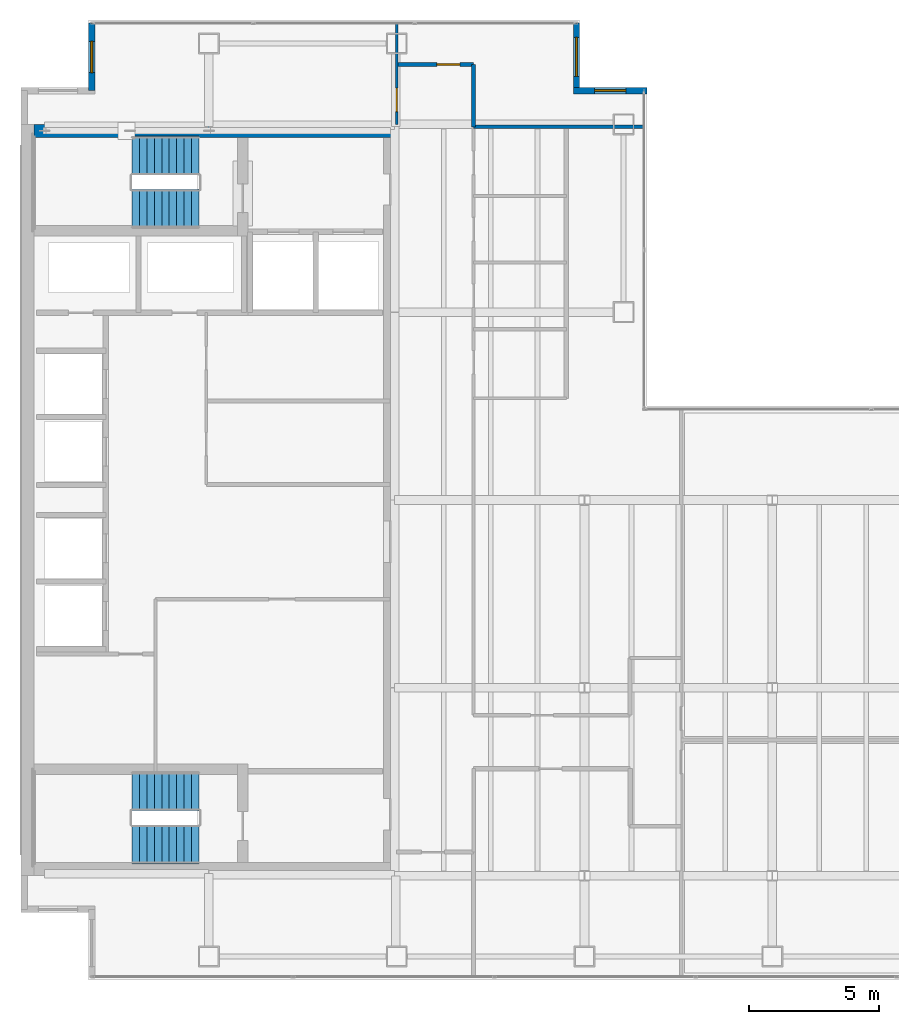
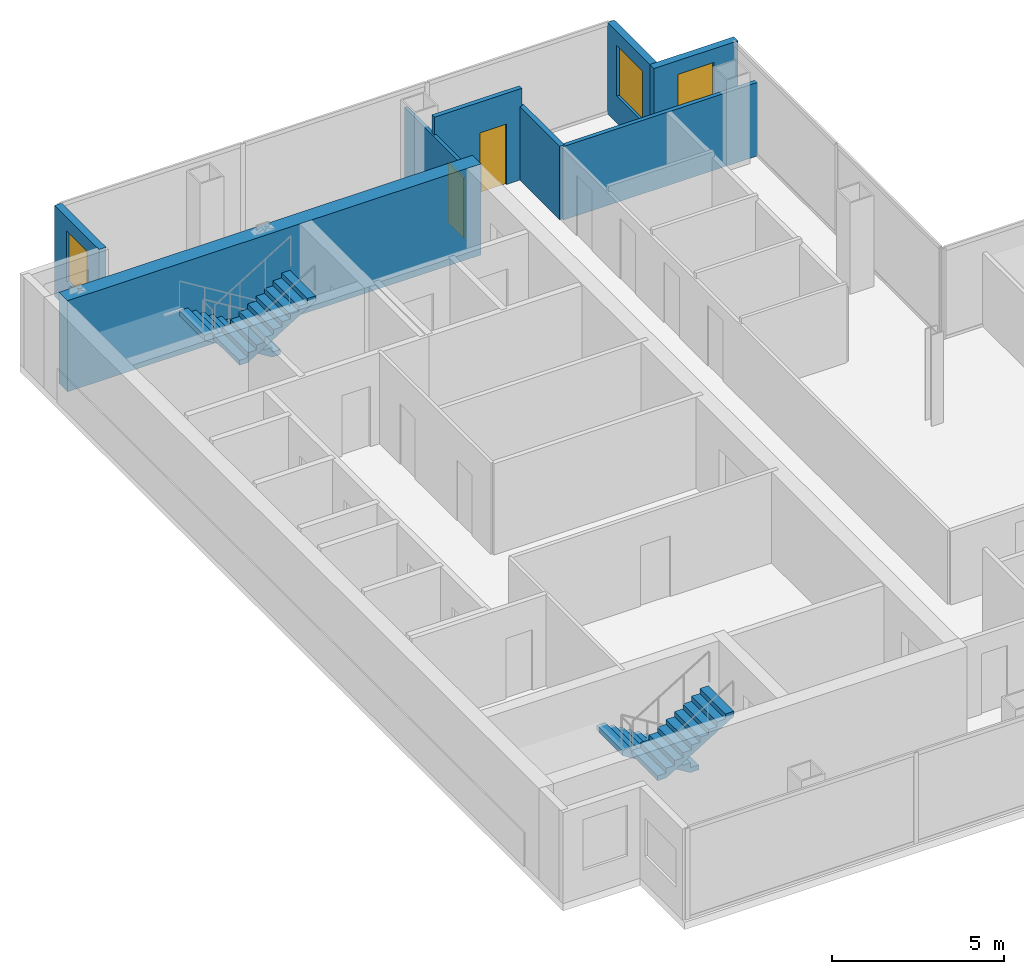
# One storey, part 22 of 23: 8 walls, 4 stair flights, 3 windows, 2 doors, 5 openings, 2 elements without a shape of their own.
"""IFC4 building model written with IfcOpenShell, lengths in metres."""

import ifcopenshell
import ifcopenshell.guid

model = None  # the IFC model being written
_history = None  # IfcOwnerHistory: only IFC2X3 demands one
_inside = {}  # id of a spatial element -> (the spatial element, [elements in it])
_under = {}  # id of a project, library or spatial element -> (it, [spatial elements below it])
_declared = {}  # id of a project -> (the project, [libraries it declares])
_typed = {}  # id of a type object -> (the type object, [elements of that type])
_made_of = {}  # id of a material, layer set ... -> (it, [elements and type objects made of it])


def new_model(schema):
    """Start an empty IFC model of exactly this schema.

    Asked for "IFC4X3", IfcOpenShell would pick the latest addendum, in which some entities
    have other attributes; the version numbers below select the first issue.
    IFC2X3 requires an IfcOwnerHistory on every rooted entity: one is made here for all.
    """
    global model, _history
    if schema == "IFC4X3":
        model = ifcopenshell.file(schema_version=(4, 3, 0, 0))
    else:
        model = ifcopenshell.file(schema=schema)
    _inside.clear()
    _under.clear()
    _declared.clear()
    _typed.clear()
    _made_of.clear()
    _history = None
    if model.schema == "IFC2X3":
        org = make("IfcOrganization", Name="unknown")
        user = make(
            "IfcPersonAndOrganization",
            ThePerson=make("IfcPerson", FamilyName="unknown"),
            TheOrganization=org,
        )
        app = make(
            "IfcApplication",
            ApplicationDeveloper=org,
            Version="unknown",
            ApplicationFullName="unknown",
            ApplicationIdentifier="unknown",
        )
        _history = make(
            "IfcOwnerHistory",
            OwningUser=user,
            OwningApplication=app,
            ChangeAction="ADDED",
            CreationDate=0,
        )
    return model


def make(cls, **values):
    """One entity of the class cls with the attributes given. An attribute that is None is left unset."""
    return model.create_entity(
        cls, **{name: value for name, value in values.items() if value is not None}
    )


def rooted(cls, **values):
    """An entity with a GlobalId (a new one), such as an element, a storey or a relation."""
    return make(cls, GlobalId=ifcopenshell.guid.new(), OwnerHistory=_history, **values)


def si_unit(unit_type, name, prefix=None):
    """IfcSIUnit, for example si_unit("LENGTHUNIT", "METRE", prefix="MILLI")."""
    return make("IfcSIUnit", UnitType=unit_type, Prefix=prefix, Name=name)


def assignment(units):
    """IfcUnitAssignment: the units of a project."""
    return None if units is None else make("IfcUnitAssignment", Units=units)


def point(xyz):
    """IfcCartesianPoint."""
    return None if xyz is None else make("IfcCartesianPoint", Coordinates=xyz)


def direction(xyz):
    """IfcDirection."""
    return None if xyz is None else make("IfcDirection", DirectionRatios=xyz)


def frame(location, z_axis=None, x_axis=None):
    """IfcAxis2Placement3D, a coordinate frame: its origin and axes. An axis left out is left unset."""
    return make(
        "IfcAxis2Placement3D",
        Location=point(location),
        Axis=direction(z_axis),
        RefDirection=direction(x_axis),
    )


def frame_2d(location, x_axis=None):
    """IfcAxis2Placement2D, a coordinate frame in the plane: its origin and x axis."""
    return make(
        "IfcAxis2Placement2D", Location=point(location), RefDirection=direction(x_axis)
    )


def origin():
    """The frame at (0, 0, 0) with its axes left unset."""
    return frame((0.0, 0.0, 0.0))


def place(relative_to, where):
    """IfcLocalPlacement: puts the frame where relative to a parent placement (None: the world)."""
    return make(
        "IfcLocalPlacement", PlacementRelTo=relative_to, RelativePlacement=where
    )


def context(
    kind, dimensions, precision=None, world=None, true_north=None, identifier=None
):
    """IfcGeometricRepresentationContext, for example the 3D "Model" context."""
    return make(
        "IfcGeometricRepresentationContext",
        ContextIdentifier=identifier,
        ContextType=kind,
        CoordinateSpaceDimension=dimensions,
        Precision=precision,
        WorldCoordinateSystem=world,
        TrueNorth=true_north,
    )


def subcontext(parent, identifier, kind, view, scale=None):
    """IfcGeometricRepresentationSubContext, for example "Body" below "Model"."""
    return make(
        "IfcGeometricRepresentationSubContext",
        ContextIdentifier=identifier,
        ContextType=kind,
        ParentContext=parent,
        TargetScale=scale,
        TargetView=view,
    )


def project(units=None, contexts=None):
    """IfcProject with its units and contexts."""
    return rooted(
        "IfcProject",
        Name="project",
        RepresentationContexts=contexts,
        UnitsInContext=assignment(units),
    )


def spatial(cls, under=None, at=None, **own):
    """A site, building, storey or space (cls), placed at a placement, below another one or the project."""
    s = rooted(cls, ObjectPlacement=at, **own)
    if under is not None:
        _under.setdefault(under.id(), (under, []))[1].append(s)
    return s


def polyline(points):
    """IfcPolyline through the points."""
    return make("IfcPolyline", Points=[point(p) for p in points])


def profile(cls, at=None, kind="AREA", **sizes):
    """A parametric profile (cls). Its sizes go by their IFC names, for example OverallWidth=200.0."""
    return make(cls, ProfileType=kind, Position=at, **sizes)


def rectangle(**sizes):
    """IfcRectangleProfileDef."""
    return profile("IfcRectangleProfileDef", **sizes)


def outline(outer, holes=None, kind="AREA"):
    """IfcArbitraryClosedProfileDef: a profile drawn as a closed curve; with holes, ...WithVoids."""
    if holes is None:
        return make("IfcArbitraryClosedProfileDef", ProfileType=kind, OuterCurve=outer)
    return make(
        "IfcArbitraryProfileDefWithVoids",
        ProfileType=kind,
        OuterCurve=outer,
        InnerCurves=holes,
    )


def extrude(swept, where, along, depth):
    """IfcExtrudedAreaSolid: the profile swept, set in the frame where, extruded along a direction by depth."""
    return make(
        "IfcExtrudedAreaSolid",
        SweptArea=swept,
        Position=where,
        ExtrudedDirection=direction(along),
        Depth=depth,
    )


def shape(context_of_items, identifier, shape_type, items):
    """IfcShapeRepresentation: the items that make up one representation, for example the "Body"."""
    return make(
        "IfcShapeRepresentation",
        ContextOfItems=context_of_items,
        RepresentationIdentifier=identifier,
        RepresentationType=shape_type,
        Items=items,
    )


def material(Name=None, Category=None):
    """IfcMaterial."""
    return make("IfcMaterial", Name=Name, Category=Category)


def layer(
    of_material, thickness, ventilated=None, Name=None, Category=None, Priority=None
):
    """IfcMaterialLayer: one layer of a wall or slab, of a material (None: an air gap)."""
    return make(
        "IfcMaterialLayer",
        Material=of_material,
        LayerThickness=thickness,
        IsVentilated=ventilated,
        Name=Name,
        Category=Category,
        Priority=Priority,
    )


def layer_set(layers, Name=None):
    """IfcMaterialLayerSet."""
    return make("IfcMaterialLayerSet", MaterialLayers=layers, LayerSetName=Name)


def made_of(thing, what):
    """Note that an element or type object is made of a material, layer set ...; save() writes the relation."""
    if what is not None:
        _made_of.setdefault(what.id(), (what, []))[1].append(thing)
    return thing


def type_object(cls, material=None, **own):
    """A type object (cls), such as IfcWallType, which elements share."""
    return made_of(rooted(cls, **own), material)


def element(
    cls,
    number,
    at=None,
    inside=None,
    cuts=None,
    type_object=None,
    material=None,
    context=None,
    identifier="Body",
    shape_type=None,
    held_by="IfcProductDefinitionShape",
    body=None,
    shapes=None,
    **own,
):
    """One element of the class cls, such as IfcWall. Its Tag is "e" and its number.

    at: its placement. inside: the storey or other place that contains it. cuts: it is an
    opening in that element (IfcRelVoidsElement). A single representation is given by context,
    identifier, shape_type and body (its items); several are given by shapes. held_by: the class
    of the entity that holds the representations. save() writes the other relations.
    """
    e = rooted(cls, Tag="e%d" % number, ObjectPlacement=at, **own)
    if body is not None:
        shapes = [shape(context, identifier, shape_type, body)]
    if shapes is not None:
        e.Representation = make(held_by, Representations=shapes)
    if inside is not None:
        _inside.setdefault(inside.id(), (inside, []))[1].append(e)
    if cuts is not None:
        rooted(
            "IfcRelVoidsElement", RelatingBuildingElement=cuts, RelatedOpeningElement=e
        )
    if type_object is not None:
        _typed.setdefault(type_object.id(), (type_object, []))[1].append(e)
    return made_of(e, material)


def fill(opening, filler):
    """IfcRelFillsElement: the door or window that sits in an opening."""
    return rooted(
        "IfcRelFillsElement",
        RelatingOpeningElement=opening,
        RelatedBuildingElement=filler,
    )


def aggregate(whole, parts):
    """IfcRelAggregates: a whole, such as a stair, and the parts it consists of."""
    return rooted("IfcRelAggregates", RelatingObject=whole, RelatedObjects=parts)


def save(model, path):
    """Write the relations noted so far, then the file.

    IfcRelAggregates (storeys below a building ...), IfcRelContainedInSpatialStructure (elements
    in a storey), IfcRelDefinesByType, IfcRelAssociatesMaterial and IfcRelDeclares: one each for
    every whole, place, type object, material and project.
    """
    for whole, parts in _under.values():
        aggregate(whole, parts)
    for where, things in _inside.values():
        rooted(
            "IfcRelContainedInSpatialStructure",
            RelatedElements=things,
            RelatingStructure=where,
        )
    for kind, things in _typed.values():
        rooted("IfcRelDefinesByType", RelatedObjects=things, RelatingType=kind)
    for what, things in _made_of.values():
        rooted("IfcRelAssociatesMaterial", RelatedObjects=things, RelatingMaterial=what)
    for by, libraries in _declared.values():
        rooted("IfcRelDeclares", RelatingContext=by, RelatedDefinitions=libraries)
    model.write(path)


model = new_model("IFC4")

# Units and contexts
model_context = context("Model", 3, precision=1e-05, world=origin(), true_north=direction((0.0, 1.0)))
body_context = subcontext(model_context, "Body", "Model", "MODEL_VIEW")
ifc_project = project(units=[si_unit("LENGTHUNIT", "METRE"), si_unit("AREAUNIT", "SQUARE_METRE"), si_unit("VOLUMEUNIT", "CUBIC_METRE"), si_unit("PLANEANGLEUNIT", "RADIAN"), si_unit("MASSUNIT", "GRAM", prefix="KILO")], contexts=[model_context])

# Site, building, storey
site_placement = place(None, origin())
site = spatial("IfcSite", under=ifc_project, at=site_placement, CompositionType="ELEMENT")
building_placement = place(site_placement, origin())
building = spatial("IfcBuilding", under=site, at=building_placement, Name="Cobrela Telecom Tower", CompositionType="ELEMENT")
storey_placement = place(building_placement, frame((0.0, 0.0, 197.75)))
storey = spatial("IfcBuildingStorey", under=building, at=storey_placement, Name="L50", CompositionType="ELEMENT", Elevation=197.75)

# Wall
ifc_material_1 = material(Name="Concrete C40/50", Category="concrete")
ifc_layer_1 = layer(ifc_material_1, 0.5)
ifc_layer_set_1 = layer_set([ifc_layer_1], Name="Concrete C40/50")
wall_type_1 = type_object("IfcWallType", Name="WALL-CORE-C40-500", PredefinedType="SHEAR", material=ifc_layer_set_1)
wall_1_placement = place(storey_placement, frame((0.5, 35.75, 0.0), z_axis=(0.0, 0.0, 1.0), x_axis=(1.0, 0.0, 0.0)))
element("IfcWall", 1, at=wall_1_placement, inside=storey, type_object=wall_type_1, Name="L50 North Core Shear Wall", PredefinedType="SHEAR", context=body_context, shape_type="SweptSolid", body=[
    extrude(rectangle(XDim=13.89990234375, YDim=0.5, at=frame_2d((6.949951171875, 0.0))), origin(), (0.0, 0.0, 1.0), 3.239990234375),
])

# Wall, opening, window
ifc_layer_2 = layer(ifc_material_1, 0.239990234375)
ifc_layer_set_2 = layer_set([ifc_layer_2], Name="Concrete C40/50")
wall_type_2 = type_object("IfcWallType", Name="WALL-EXT-300", PredefinedType="STANDARD", material=ifc_layer_set_2)
wall_2_placement = place(storey_placement, frame((2.7099609375, 37.2900390625, 0.0), z_axis=(0.0, 0.0, 1.0), x_axis=(0.0, 1.0, 0.0)))
wall_2 = element("IfcWall", 2, at=wall_2_placement, inside=storey, type_object=wall_type_2, Name="L50 Insulated Facade Wall 06", PredefinedType="STANDARD", context=body_context, shape_type="SweptSolid", body=[
    extrude(rectangle(XDim=2.58984375, YDim=0.239990234375, at=frame_2d((1.294921875, 0.0))), origin(), (0.0, 0.0, 1.0), 3.239990234375),
])
opening_1_placement = place(wall_2_placement, frame((0.695068359375, 0.0, 0.949951171875)))
opening_1 = element("IfcOpeningElement", 3, at=opening_1_placement, cuts=wall_2, Name="Opening WN-19", PredefinedType="OPENING", context=body_context, shape_type="SweptSolid", body=[
    extrude(rectangle(XDim=1.199951171875, YDim=1.800048828125, at=frame_2d((0.60009765625, 0.89990234375))), frame((0.0, 0.1318359375, 0.0), z_axis=(0.0, -1.0, 0.0), x_axis=(1.0, 0.0, 0.0)), (0.0, 0.0, 1.0), 0.263916015625),
])
ifc_material_2 = material(Name="Solar-Control Bronze Low-E Glass", Category="glass")
window_type_1 = type_object("IfcWindowType", Name="WIN-MOD-1200", PartitioningType="SINGLE_PANEL", PredefinedType="WINDOW", material=ifc_material_2)
window_1_placement = place(opening_1_placement, origin())
window_1 = element("IfcWindow", 4, at=window_1_placement, inside=storey, type_object=window_type_1, Name="L50 Corner Notch Facade Window 242", OverallHeight=1.800048828125, OverallWidth=1.199951171875, PartitioningType="SINGLE_PANEL", PredefinedType="WINDOW", context=body_context, shape_type="SweptSolid", body=[
    extrude(rectangle(XDim=1.199951171875, YDim=1.800048828125, at=frame_2d((0.60009765625, 0.89990234375))), frame((0.0, 0.030029296875, 0.0), z_axis=(0.0, -1.0, 0.0), x_axis=(1.0, 0.0, 0.0)), (0.0, 0.0, 1.0), 0.06005859375),
])
fill(opening_1, window_1)

wall_3_placement = place(storey_placement, frame((21.2900390625, 39.8798828125, 0.0), z_axis=(0.0, 0.0, 1.0), x_axis=(0.0, -1.0, 0.0)))
wall_3 = element("IfcWall", 5, at=wall_3_placement, inside=storey, type_object=wall_type_2, Name="L50 Insulated Facade Wall 08", PredefinedType="STANDARD", context=body_context, shape_type="SweptSolid", body=[
    extrude(rectangle(XDim=2.58984375, YDim=0.239990234375, at=frame_2d((1.294921875, 0.0))), origin(), (0.0, 0.0, 1.0), 3.239990234375),
])
opening_2_placement = place(wall_3_placement, frame((0.544921875, 0.0, 0.949951171875)))
opening_2 = element("IfcOpeningElement", 6, at=opening_2_placement, cuts=wall_3, Name="Opening WN-45", PredefinedType="OPENING", context=body_context, shape_type="SweptSolid", body=[
    extrude(rectangle(XDim=1.5, YDim=1.800048828125, at=frame_2d((0.75, 0.89990234375))), frame((0.0, 0.1318359375, 0.0), z_axis=(0.0, -1.0, 0.0), x_axis=(1.0, 0.0, 0.0)), (0.0, 0.0, 1.0), 0.263916015625),
])
window_type_2 = type_object("IfcWindowType", Name="WIN-MOD-1500", PartitioningType="SINGLE_PANEL", PredefinedType="WINDOW", material=ifc_material_2)
window_2_placement = place(opening_2_placement, origin())
window_2 = element("IfcWindow", 7, at=window_2_placement, inside=storey, type_object=window_type_2, Name="L50 Corner Notch Facade Window 243", OverallHeight=1.800048828125, OverallWidth=1.5, PartitioningType="SINGLE_PANEL", PredefinedType="WINDOW", context=body_context, shape_type="SweptSolid", body=[
    extrude(rectangle(XDim=1.5, YDim=1.800048828125, at=frame_2d((0.75, 0.89990234375))), frame((0.0, 0.030029296875, 0.0), z_axis=(0.0, -1.0, 0.0), x_axis=(1.0, 0.0, 0.0)), (0.0, 0.0, 1.0), 0.06005859375),
])
fill(opening_2, window_2)

wall_4_placement = place(storey_placement, frame((21.169921875, 37.2900390625, 0.0), z_axis=(0.0, 0.0, 1.0), x_axis=(1.0, 0.0, 0.0)))
wall_4 = element("IfcWall", 8, at=wall_4_placement, inside=storey, type_object=wall_type_2, Name="L50 Insulated Facade Wall 09", PredefinedType="STANDARD", context=body_context, shape_type="SweptSolid", body=[
    extrude(rectangle(XDim=2.830078125, YDim=0.239990234375, at=frame_2d((1.4150390625, 0.0))), origin(), (0.0, 0.0, 1.0), 3.239990234375),
])
opening_3_placement = place(wall_4_placement, frame((0.81494140625, 0.0, 0.949951171875)))
opening_3 = element("IfcOpeningElement", 9, at=opening_3_placement, cuts=wall_4, Name="Opening WN-19", PredefinedType="OPENING", context=body_context, shape_type="SweptSolid", body=[
    extrude(rectangle(XDim=1.199951171875, YDim=1.800048828125, at=frame_2d((0.60009765625, 0.89990234375))), frame((0.0, 0.1318359375, 0.0), z_axis=(0.0, -1.0, 0.0), x_axis=(1.0, 0.0, 0.0)), (0.0, 0.0, 1.0), 0.263916015625),
])
window_3_placement = place(opening_3_placement, origin())
window_3 = element("IfcWindow", 10, at=window_3_placement, inside=storey, type_object=window_type_1, Name="L50 Corner Notch Facade Window 244", OverallHeight=1.800048828125, OverallWidth=1.199951171875, PartitioningType="SINGLE_PANEL", PredefinedType="WINDOW", context=body_context, shape_type="SweptSolid", body=[
    extrude(rectangle(XDim=1.199951171875, YDim=1.800048828125, at=frame_2d((0.60009765625, 0.89990234375))), frame((0.0, 0.030029296875, 0.0), z_axis=(0.0, -1.0, 0.0), x_axis=(1.0, 0.0, 0.0)), (0.0, 0.0, 1.0), 0.06005859375),
])
fill(opening_3, window_3)

# Wall, opening, door
ifc_material_3 = material(Name="Fire-Rated Gypsum Plasterboard")
ifc_layer_3 = layer(ifc_material_3, 0.110107421875)
ifc_layer_set_3 = layer_set([ifc_layer_3], Name="Fire-Rated Gypsum Plasterboard")
wall_type_3 = type_object("IfcWallType", Name="WALL-PART-110", PredefinedType="PARTITIONING", material=ifc_layer_set_3)
wall_5_placement = place(storey_placement, frame((14.39990234375, 36.0, 0.0), z_axis=(0.0, 0.0, 1.0), x_axis=(0.0, 1.0, 0.0)))
wall_5 = element("IfcWall", 11, at=wall_5_placement, inside=storey, type_object=wall_type_3, Name="L50 Interior Partition W-CN-W", PredefinedType="PARTITIONING", context=body_context, shape_type="SweptSolid", body=[
    extrude(rectangle(XDim=3.8798828125, YDim=0.110107421875, at=frame_2d((1.93994140625, 0.0))), origin(), (0.0, 0.0, 1.0), 2.613037109375),
])
opening_4_placement = place(wall_5_placement, frame((0.489990234375, 0.0, 0.0)))
opening_4 = element("IfcOpeningElement", 12, at=opening_4_placement, cuts=wall_5, Name="Opening DR-41", PredefinedType="OPENING", context=body_context, shape_type="SweptSolid", body=[
    extrude(rectangle(XDim=0.89990234375, YDim=2.14990234375, at=frame_2d((0.449951171875, 1.074951171875))), frame((0.0, 0.06689453125, 0.0), z_axis=(0.0, -1.0, 0.0), x_axis=(1.0, 0.0, 0.0)), (0.0, 0.0, 1.0), 0.134033203125),
])
ifc_material_4 = material(Name="Solid Engineered Oak Timber", Category="wood")
door_type_1 = type_object("IfcDoorType", Name="DOOR-INT-900", OperationType="SINGLE_SWING_LEFT", PredefinedType="DOOR", material=ifc_material_4)
door_1_placement = place(opening_4_placement, origin())
door_1 = element("IfcDoor", 13, at=door_1_placement, inside=storey, type_object=door_type_1, Name="L50 Door DR-41", OperationType="SINGLE_SWING_LEFT", OverallHeight=2.14990234375, OverallWidth=0.89990234375, PredefinedType="DOOR", context=body_context, shape_type="SweptSolid", body=[
    extrude(rectangle(XDim=0.89990234375, YDim=2.14990234375, at=frame_2d((0.449951171875, 1.074951171875))), frame((0.0, 0.02490234375, 0.0), z_axis=(0.0, -1.0, 0.0), x_axis=(1.0, 0.0, 0.0)), (0.0, 0.0, 1.0), 0.050048828125),
])
fill(opening_4, door_1)

# Wall
ifc_layer_4 = layer(ifc_material_3, 0.135009765625)
ifc_layer_set_4 = layer_set([ifc_layer_4], Name="Fire-Rated Gypsum Plasterboard")
wall_type_4 = type_object("IfcWallType", Name="WALL-PART-135", PredefinedType="PARTITIONING", material=ifc_layer_set_4)
wall_6_placement = place(storey_placement, frame((17.35009765625, 35.89990234375, 0.0), z_axis=(0.0, 0.0, 1.0), x_axis=(1.0, 0.0, 0.0)))
element("IfcWall", 14, at=wall_6_placement, inside=storey, type_object=wall_type_4, Name="L50 Interior Partition W-NW2-S", PredefinedType="PARTITIONING", context=body_context, shape_type="SweptSolid", body=[
    extrude(rectangle(XDim=6.52978515625, YDim=0.135009765625, at=frame_2d((3.264892578125, 0.0))), origin(), (0.0, 0.0, 1.0), 2.613037109375),
])

# Wall, opening, door
ifc_layer_5 = layer(ifc_material_3, 0.14990234375)
ifc_layer_set_5 = layer_set([ifc_layer_5], Name="Fire-Rated Gypsum Plasterboard")
wall_type_5 = type_object("IfcWallType", Name="WALL-PART-150", PredefinedType="PARTITIONING", material=ifc_layer_set_5)
wall_7_placement = place(storey_placement, frame((14.39990234375, 38.300048828125, 0.0), z_axis=(0.0, 0.0, 1.0), x_axis=(1.0, 0.0, 0.0)))
wall_7 = element("IfcWall", 15, at=wall_7_placement, inside=storey, type_object=wall_type_5, Name="L50 Interior Partition W-CN-T", PredefinedType="PARTITIONING", context=body_context, shape_type="SweptSolid", body=[
    extrude(rectangle(XDim=2.9501953125, YDim=0.14990234375, at=frame_2d((1.47509765625, 0.0))), origin(), (0.0, 0.0, 1.0), 3.239990234375),
])
opening_5_placement = place(wall_7_placement, frame((1.5400390625, 0.0, 0.0)))
opening_5 = element("IfcOpeningElement", 16, at=opening_5_placement, cuts=wall_7, Name="Opening DR-39", PredefinedType="OPENING", context=body_context, shape_type="SweptSolid", body=[
    extrude(rectangle(XDim=0.8798828125, YDim=2.14990234375, at=frame_2d((0.43994140625, 1.074951171875))), frame((0.0, 0.0869140625, 0.0), z_axis=(0.0, -1.0, 0.0), x_axis=(1.0, 0.0, 0.0)), (0.0, 0.0, 1.0), 0.173828125),
])
door_type_2 = type_object("IfcDoorType", Name="DOOR-INT-880", OperationType="SINGLE_SWING_LEFT", PredefinedType="DOOR", material=ifc_material_4)
door_2_placement = place(opening_5_placement, origin())
door_2 = element("IfcDoor", 17, at=door_2_placement, inside=storey, type_object=door_type_2, Name="L50 Door DR-39", OperationType="SINGLE_SWING_RIGHT", OverallHeight=2.14990234375, OverallWidth=0.8798828125, PredefinedType="DOOR", context=body_context, shape_type="SweptSolid", body=[
    extrude(rectangle(XDim=0.8798828125, YDim=2.14990234375, at=frame_2d((0.43994140625, 1.074951171875))), frame((0.0, 0.02490234375, 0.0), z_axis=(0.0, -1.0, 0.0), x_axis=(1.0, 0.0, 0.0)), (0.0, 0.0, 1.0), 0.050048828125),
])
fill(opening_5, door_2)

# Wall
ifc_layer_6 = layer(ifc_material_3, 0.159912109375)
ifc_layer_set_6 = layer_set([ifc_layer_6], Name="Fire-Rated Gypsum Plasterboard")
wall_type_6 = type_object("IfcWallType", Name="WALL-PART-160", PredefinedType="PARTITIONING", material=ifc_layer_set_6)
wall_8_placement = place(storey_placement, frame((17.35009765625, 35.89990234375, 0.0), z_axis=(0.0, 0.0, 1.0), x_axis=(0.0, 1.0, 0.0)))
element("IfcWall", 18, at=wall_8_placement, inside=storey, type_object=wall_type_6, Name="L50 Interior Partition W-CN-E", PredefinedType="PARTITIONING", context=body_context, shape_type="SweptSolid", body=[
    extrude(rectangle(XDim=2.400146484375, YDim=0.159912109375, at=frame_2d((1.2001953125, 0.0))), origin(), (0.0, 0.0, 1.0), 2.613037109375),
])

# Stair, stair flights
stair_type = type_object("IfcStairType", Name="STAIR-CORE", PredefinedType="HALF_TURN_STAIR", material=ifc_material_1)
stair_1_placement = place(storey_placement, origin())
stair_1 = element("IfcStair", 19, at=stair_1_placement, inside=storey, type_object=stair_type, Name="L50 Smokeproof Exit Stair ST1", PredefinedType="HALF_TURN_STAIR")
stair_flight_type = type_object("IfcStairFlightType", Name="FLIGHT-CORE", PredefinedType="STRAIGHT", material=ifc_material_1)
stair_flight_1_placement = place(storey_placement, frame((6.820068359375, 34.800048828125, 0.0), z_axis=(0.0, 0.0, 1.0), x_axis=(-1.0, 0.0, 0.0)))
stair_flight_1 = element("IfcStairFlight", 20, at=stair_flight_1_placement, type_object=stair_flight_type, Name="ST1 flight 1", NumberOfRisers=10, NumberOfTreads=9, PredefinedType="STRAIGHT", RiserHeight=0.175, TreadLength=0.285, context=body_context, shape_type="SweptSolid", body=[
    extrude(outline(polyline([(0.0, 0.0), (0.0, 0.175048828125), (0.284912109375, 0.175048828125), (0.284912109375, 0.35009765625), (0.570068359375, 0.35009765625), (0.570068359375, 0.52490234375), (0.85498046875, 0.52490234375), (0.85498046875, 0.699951171875), (1.139892578125, 0.699951171875), (1.139892578125, 0.875), (1.425048828125, 0.875), (1.425048828125, 1.050048828125), (1.7099609375, 1.050048828125), (1.7099609375, 1.22509765625), (1.9951171875, 1.22509765625), (1.9951171875, 1.39990234375), (2.280029296875, 1.39990234375), (2.280029296875, 1.574951171875), (2.56494140625, 1.574951171875), (2.56494140625, 1.75), (2.56494140625, 1.399169921875), (0.286376953125, 0.0), (0.0, 0.0)])), frame((0.0, 0.75, 0.0), z_axis=(0.0, -1.0, 0.0), x_axis=(1.0, 0.0, 0.0)), (0.0, 0.0, 1.0), 1.5),
])
stair_flight_2_placement = place(storey_placement, frame((4.2548828125, 32.75, 1.75), z_axis=(0.0, 0.0, 1.0), x_axis=(1.0, 0.0, 0.0)))
stair_flight_2 = element("IfcStairFlight", 21, at=stair_flight_2_placement, type_object=stair_flight_type, Name="ST1 flight 2", NumberOfRisers=10, NumberOfTreads=9, PredefinedType="STRAIGHT", RiserHeight=0.175, TreadLength=0.285, context=body_context, shape_type="SweptSolid", body=[
    extrude(outline(polyline([(0.0, 0.0), (0.0, 0.175048828125), (0.284912109375, 0.175048828125), (0.284912109375, 0.35009765625), (0.570068359375, 0.35009765625), (0.570068359375, 0.52490234375), (0.85498046875, 0.52490234375), (0.85498046875, 0.699951171875), (1.139892578125, 0.699951171875), (1.139892578125, 0.875), (1.425048828125, 0.875), (1.425048828125, 1.050048828125), (1.7099609375, 1.050048828125), (1.7099609375, 1.22509765625), (1.9951171875, 1.22509765625), (1.9951171875, 1.39990234375), (2.280029296875, 1.39990234375), (2.280029296875, 1.574951171875), (2.56494140625, 1.574951171875), (2.56494140625, 1.75), (2.56494140625, 1.399169921875), (0.286376953125, 0.0), (0.0, 0.0)])), frame((0.0, 0.75, 0.0), z_axis=(0.0, -1.0, 0.0), x_axis=(1.0, 0.0, 0.0)), (0.0, 0.0, 1.0), 1.5),
])
aggregate(stair_1, [stair_flight_1, stair_flight_2])

stair_2_placement = place(storey_placement, origin())
stair_2 = element("IfcStair", 22, at=stair_2_placement, inside=storey, type_object=stair_type, Name="L50 Smokeproof Exit Stair ST2", PredefinedType="HALF_TURN_STAIR")
stair_flight_3_placement = place(storey_placement, frame((6.820068359375, 10.449951171875, 0.0), z_axis=(0.0, 0.0, 1.0), x_axis=(-1.0, 0.0, 0.0)))
stair_flight_3 = element("IfcStairFlight", 23, at=stair_flight_3_placement, type_object=stair_flight_type, Name="ST2 flight 1", NumberOfRisers=10, NumberOfTreads=9, PredefinedType="STRAIGHT", RiserHeight=0.175, TreadLength=0.285, context=body_context, shape_type="SweptSolid", body=[
    extrude(outline(polyline([(0.0, 0.0), (0.0, 0.175048828125), (0.284912109375, 0.175048828125), (0.284912109375, 0.35009765625), (0.570068359375, 0.35009765625), (0.570068359375, 0.52490234375), (0.85498046875, 0.52490234375), (0.85498046875, 0.699951171875), (1.139892578125, 0.699951171875), (1.139892578125, 0.875), (1.425048828125, 0.875), (1.425048828125, 1.050048828125), (1.7099609375, 1.050048828125), (1.7099609375, 1.22509765625), (1.9951171875, 1.22509765625), (1.9951171875, 1.39990234375), (2.280029296875, 1.39990234375), (2.280029296875, 1.574951171875), (2.56494140625, 1.574951171875), (2.56494140625, 1.75), (2.56494140625, 1.399169921875), (0.286376953125, 0.0), (0.0, 0.0)])), frame((0.0, 0.75, 0.0), z_axis=(0.0, -1.0, 0.0), x_axis=(1.0, 0.0, 0.0)), (0.0, 0.0, 1.0), 1.5),
])
stair_flight_4_placement = place(storey_placement, frame((4.2548828125, 8.39990234375, 1.75), z_axis=(0.0, 0.0, 1.0), x_axis=(1.0, 0.0, 0.0)))
stair_flight_4 = element("IfcStairFlight", 24, at=stair_flight_4_placement, type_object=stair_flight_type, Name="ST2 flight 2", NumberOfRisers=10, NumberOfTreads=9, PredefinedType="STRAIGHT", RiserHeight=0.175, TreadLength=0.285, context=body_context, shape_type="SweptSolid", body=[
    extrude(outline(polyline([(0.0, 0.0), (0.0, 0.175048828125), (0.284912109375, 0.175048828125), (0.284912109375, 0.35009765625), (0.570068359375, 0.35009765625), (0.570068359375, 0.52490234375), (0.85498046875, 0.52490234375), (0.85498046875, 0.699951171875), (1.139892578125, 0.699951171875), (1.139892578125, 0.875), (1.425048828125, 0.875), (1.425048828125, 1.050048828125), (1.7099609375, 1.050048828125), (1.7099609375, 1.22509765625), (1.9951171875, 1.22509765625), (1.9951171875, 1.39990234375), (2.280029296875, 1.39990234375), (2.280029296875, 1.574951171875), (2.56494140625, 1.574951171875), (2.56494140625, 1.75), (2.56494140625, 1.399169921875), (0.286376953125, 0.0), (0.0, 0.0)])), frame((0.0, 0.75, 0.0), z_axis=(0.0, -1.0, 0.0), x_axis=(1.0, 0.0, 0.0)), (0.0, 0.0, 1.0), 1.5),
])
aggregate(stair_2, [stair_flight_3, stair_flight_4])

save(model, "model.ifc")
